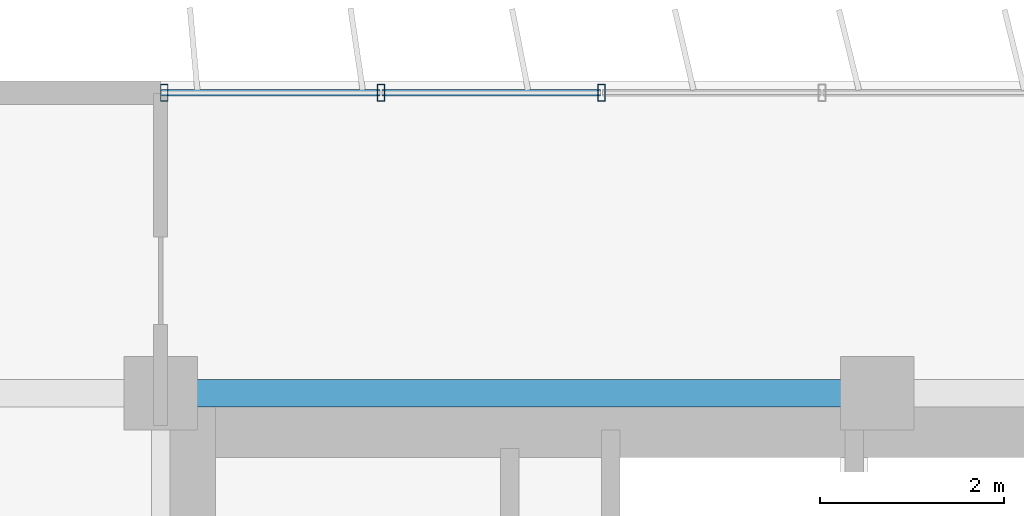
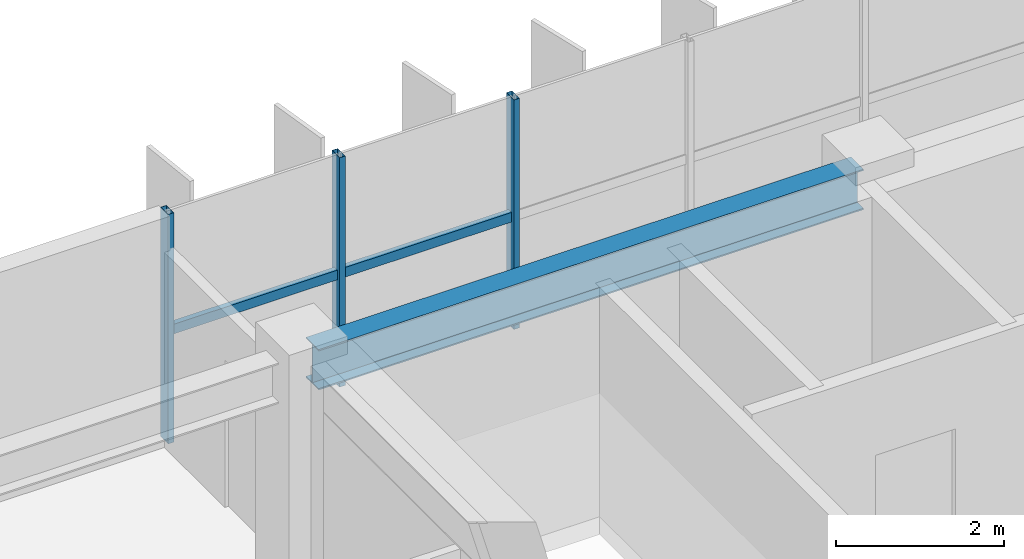
# One storey, part 5 of 22: 5 members, 1 beam, 1 element without a shape of its own.
"""IFC4 building model written with IfcOpenShell, lengths in metres."""

from ifc_helpers import new_model, si_unit, direction, frame, origin, origin_2d, place, context, subcontext, project, spatial, hollow_rectangle, i_section, extrude, source, transform, mapped, material, material_profile, profile_set, type_object, element, aggregate, save


model = new_model("IFC4")

# Units and contexts
model_context = context("Model", 3, precision=1e-05, world=origin(), true_north=direction((0.0, 1.0)))
body_context = subcontext(model_context, "Body", "Model", "MODEL_VIEW")
ifc_project = project(units=[si_unit("LENGTHUNIT", "METRE"), si_unit("AREAUNIT", "SQUARE_METRE"), si_unit("VOLUMEUNIT", "CUBIC_METRE"), si_unit("PLANEANGLEUNIT", "RADIAN"), si_unit("MASSUNIT", "GRAM", prefix="KILO")], contexts=[model_context])

# Site, building, storey
site_placement = place(None, origin())
site = spatial("IfcSite", under=ifc_project, at=site_placement, CompositionType="ELEMENT")
building_placement = place(site_placement, origin())
building = spatial("IfcBuilding", under=site, at=building_placement, Name="Trelvane Seafront Commons", CompositionType="ELEMENT")
storey_placement = place(building_placement, frame((0.0, 0.0, 85.300048828125)))
storey = spatial("IfcBuildingStorey", under=building, at=storey_placement, Name="L21", CompositionType="ELEMENT", Elevation=85.300048828125)

# Beam
ifc_material_1 = material(Name="Steel SM355 (S355)", Category="steel")
ifc_material_profile_1 = material_profile(ifc_material_1, i_section(OverallWidth=0.300048828125, OverallDepth=0.587890625, WebThickness=0.011962890625, FlangeThickness=0.02001953125, at=origin_2d()), Name="H-588x300x12x20")
ifc_profile_set_1 = profile_set([ifc_material_profile_1], Name="Steel SM355 (S355)")
beam_type = type_object("IfcBeamType", Name="STR-BM-H588", PredefinedType="BEAM", material=ifc_profile_set_1)
shared_shape_1 = source(origin(), body_context, "Body", "SweptSolid", [
    extrude(i_section(OverallWidth=0.300048828125, OverallDepth=0.587890625, WebThickness=0.011962890625, FlangeThickness=0.02001953125, at=origin_2d()), origin(), (0.0, 0.0, 1.0), 7.5),
])
beam_placement = place(storey_placement, frame((15.75, 45.10009765625, 3.0458984375), z_axis=(1.0, 0.0, 0.0), x_axis=(0.0, 1.0, 0.0)))
element("IfcBeam", 1, at=beam_placement, inside=storey, type_object=beam_type, Name="L21 Primary Girder G-30", PredefinedType="BEAM", context=body_context, shape_type="MappedRepresentation", body=[
    mapped(shared_shape_1, transform((0.0, 0.0, 0.0), x_axis=(1.0, 0.0, 0.0), y_axis=(0.0, 1.0, 0.0), z_axis=(0.0, 0.0, 1.0), scale=1.0)),
])

# Curtain wall, members
ifc_material_2 = material(Name="Anodised pale-silver aluminium", Category="aluminium")
curtain_wall_type = type_object("IfcCurtainWallType", Name="ARCH-CW4-SKYLOBBY", PredefinedType="NOTDEFINED", material=ifc_material_2)
curtain_wall_placement = place(storey_placement, origin())
curtain_wall = element("IfcCurtainWall", 2, at=curtain_wall_placement, inside=storey, type_object=curtain_wall_type, Name="CW-L21-0046", PredefinedType="NOTDEFINED")
ifc_material_profile_2 = material_profile(ifc_material_2, hollow_rectangle(XDim=0.074951171875, YDim=0.139892578125, WallThickness=0.00390625, at=origin_2d()), Name="TRAN-75x140x4")
ifc_profile_set_2 = profile_set([ifc_material_profile_2], Name="Anodised pale-silver aluminium")
member_type_1 = type_object("IfcMemberType", Name="ARCH-CW-TRAN-140", PredefinedType="USERDEFINED", material=ifc_profile_set_2)
shared_shape_2 = source(origin(), body_context, "Body", "SweptSolid", [
    extrude(hollow_rectangle(XDim=0.074951171875, YDim=0.139892578125, WallThickness=0.00390625, at=origin_2d()), origin(), (0.0, 0.0, 1.0), 2.3759765625),
])
member_1_placement = place(storey_placement, frame((15.612060546875, 48.3701171875, 1.60302734375), z_axis=(1.0, 0.0, 0.0), x_axis=(0.0, 1.0, 0.0)))
member_1 = element("IfcMember", 3, at=member_1_placement, type_object=member_type_1, Name="CW-L21-0046-T00", ObjectType="TRANSOM", PredefinedType="USERDEFINED", context=body_context, shape_type="MappedRepresentation", body=[
    mapped(shared_shape_2, transform((0.0, 0.0, 0.0), x_axis=(1.0, 0.0, 0.0), y_axis=(0.0, 1.0, 0.0), z_axis=(0.0, 0.0, 1.0), scale=1.0)),
])
member_2_placement = place(storey_placement, frame((18.011962890625, 48.3701171875, 1.60302734375), z_axis=(1.0, 0.0, 0.0), x_axis=(0.0, 1.0, 0.0)))
member_2 = element("IfcMember", 4, at=member_2_placement, type_object=member_type_1, Name="CW-L21-0046-T01", ObjectType="TRANSOM", PredefinedType="USERDEFINED", context=body_context, shape_type="MappedRepresentation", body=[
    mapped(shared_shape_2, transform((0.0, 0.0, 0.0), x_axis=(1.0, 0.0, 0.0), y_axis=(0.0, 1.0, 0.0), z_axis=(0.0, 0.0, 1.0), scale=1.0)),
])
ifc_material_profile_3 = material_profile(ifc_material_2, hollow_rectangle(XDim=0.080078125, YDim=0.179931640625, WallThickness=0.00439453125, at=origin_2d()), Name="MULL-80x180x4.5")
ifc_profile_set_3 = profile_set([ifc_material_profile_3], Name="Anodised pale-silver aluminium")
member_type_2 = type_object("IfcMemberType", Name="ARCH-CW-MULL-180", PredefinedType="MULLION", material=ifc_profile_set_3)
shared_shape_3 = source(origin(), body_context, "Body", "SweptSolid", [
    extrude(hollow_rectangle(XDim=0.080078125, YDim=0.179931640625, WallThickness=0.00439453125, at=origin_2d()), origin(), (0.0, 0.0, 1.0), 3.33984375),
])
member_3_placement = place(storey_placement, frame((15.639892578125, 48.3701171875, 0.0), z_axis=(0.0, 0.0, 1.0), x_axis=(1.0, 0.0, 0.0)))
member_3 = element("IfcMember", 5, at=member_3_placement, type_object=member_type_2, Name="CW-L21-0046-M00", PredefinedType="MULLION", context=body_context, shape_type="MappedRepresentation", body=[
    mapped(shared_shape_3, transform((0.0, 0.0, 0.0), x_axis=(1.0, 0.0, 0.0), y_axis=(0.0, 1.0, 0.0), z_axis=(0.0, 0.0, 1.0), scale=1.0)),
])
member_4_placement = place(storey_placement, frame((18.0, 48.3701171875, 0.0), z_axis=(0.0, 0.0, 1.0), x_axis=(1.0, 0.0, 0.0)))
member_4 = element("IfcMember", 6, at=member_4_placement, type_object=member_type_2, Name="CW-L21-0046-M01", PredefinedType="MULLION", context=body_context, shape_type="MappedRepresentation", body=[
    mapped(shared_shape_3, transform((0.0, 0.0, 0.0), x_axis=(1.0, 0.0, 0.0), y_axis=(0.0, 1.0, 0.0), z_axis=(0.0, 0.0, 1.0), scale=1.0)),
])
member_5_placement = place(storey_placement, frame((20.39990234375, 48.3701171875, 0.0), z_axis=(0.0, 0.0, 1.0), x_axis=(1.0, 0.0, 0.0)))
member_5 = element("IfcMember", 7, at=member_5_placement, type_object=member_type_2, Name="CW-L21-0046-M02", PredefinedType="MULLION", context=body_context, shape_type="MappedRepresentation", body=[
    mapped(shared_shape_3, transform((0.0, 0.0, 0.0), x_axis=(1.0, 0.0, 0.0), y_axis=(0.0, 1.0, 0.0), z_axis=(0.0, 0.0, 1.0), scale=1.0)),
])
aggregate(curtain_wall, [member_3, member_4, member_5, member_1, member_2])

save(model, "model.ifc")
